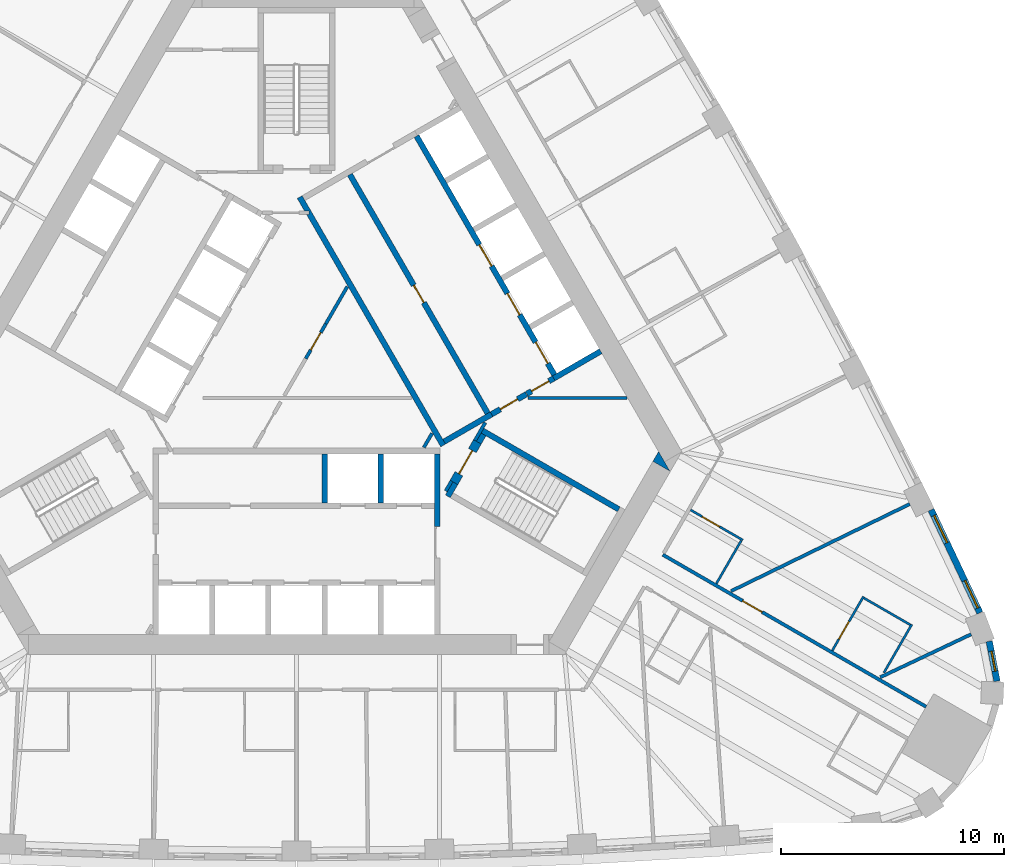
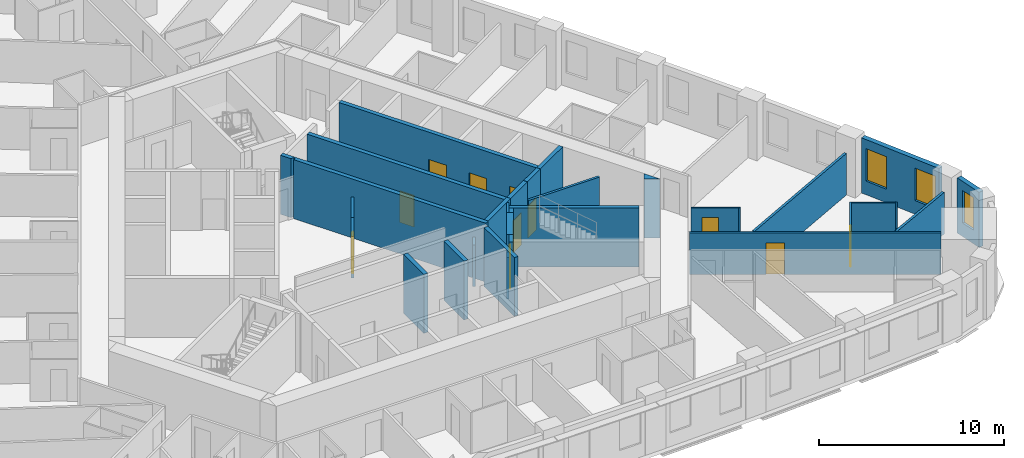
# One storey, part 8 of 13: 31 walls, 11 doors, 3 windows, 14 openings.
"""IFC4 building model written with IfcOpenShell, lengths in metres."""

from ifc_helpers import new_model, si_unit, direction, frame, frame_2d, origin, place, context, subcontext, project, spatial, polyline, rectangle, outline, extrude, material, layer, layer_set, type_object, element, fill, save


model = new_model("IFC4")

# Units and contexts
model_context = context("Model", 3, precision=1e-05, world=origin(), true_north=direction((0.0, 1.0)))
body_context = subcontext(model_context, "Body", "Model", "MODEL_VIEW")
ifc_project = project(units=[si_unit("LENGTHUNIT", "METRE"), si_unit("AREAUNIT", "SQUARE_METRE"), si_unit("VOLUMEUNIT", "CUBIC_METRE"), si_unit("PLANEANGLEUNIT", "RADIAN"), si_unit("MASSUNIT", "GRAM", prefix="KILO")], contexts=[model_context])

# Site, building, storey
site_placement = place(None, origin())
site = spatial("IfcSite", under=ifc_project, at=site_placement, CompositionType="ELEMENT")
building_placement = place(site_placement, origin())
building = spatial("IfcBuilding", under=site, at=building_placement, Name="Mestral Congress Tower", CompositionType="ELEMENT")
storey_placement = place(building_placement, frame((0.0, 0.0, 91.5)))
storey = spatial("IfcBuildingStorey", under=building, at=storey_placement, Name="L21", CompositionType="ELEMENT", Elevation=91.5)

# Walls
ifc_material_1 = material(Name="Fire-rated board partition")
ifc_layer_1 = layer(ifc_material_1, 0.14990234375)
ifc_layer_set_1 = layer_set([ifc_layer_1], Name="Fire-rated board partition")
wall_type_1 = type_object("IfcWallType", Name="Core partition 150", PredefinedType="PARTITIONING", material=ifc_layer_set_1)
wall_1_placement = place(storey_placement, frame((6.94482421875, -5.22216796875, 0.0), z_axis=(0.0, 0.0, 1.0), x_axis=(-0.499818422106, -0.866130212453, 0.0)))
element("IfcWall", 1, at=wall_1_placement, inside=storey, type_object=wall_type_1, Name="L21 core wall", PredefinedType="PARTITIONING", context=body_context, shape_type="SweptSolid", body=[
    extrude(rectangle(XDim=0.513916015625, YDim=0.14990234375, at=frame_2d((0.2568359375, 0.0))), origin(), (0.0, 0.0, 1.0), 2.75),
])
wall_2_placement = place(storey_placement, frame((5.704833984375, -3.718017578125, 0.0), z_axis=(0.0, 0.0, 1.0), x_axis=(0.499962090823, 0.866047289552, 0.0)))
element("IfcWall", 2, at=wall_2_placement, inside=storey, type_object=wall_type_1, Name="L21 core wall", PredefinedType="PARTITIONING", context=body_context, shape_type="SweptSolid", body=[
    extrude(rectangle(XDim=0.73486328125, YDim=0.14990234375, at=frame_2d((0.367431640625, 0.0))), origin(), (0.0, 0.0, 1.0), 2.75),
])
wall_3_placement = place(storey_placement, frame((10.362060546875, -1.5, 0.0), z_axis=(0.0, 0.0, 1.0), x_axis=(1.0, 0.0, 0.0)))
element("IfcWall", 3, at=wall_3_placement, inside=storey, type_object=wall_type_1, Name="L21 core wall", PredefinedType="PARTITIONING", context=body_context, shape_type="SweptSolid", body=[
    extrude(rectangle(XDim=4.439208984375, YDim=0.14990234375, at=frame_2d((2.2197265625, 0.0))), origin(), (0.0, 0.0, 1.0), 2.75),
])
wall_4_placement = place(storey_placement, frame((1.311767578125, 1.822021484375, 0.0), z_axis=(0.0, 0.0, 1.0), x_axis=(0.500003549559, 0.866023354436, 0.0)))
element("IfcWall", 4, at=wall_4_placement, inside=storey, type_object=wall_type_1, Name="L21 core wall", PredefinedType="PARTITIONING", context=body_context, shape_type="SweptSolid", body=[
    extrude(rectangle(XDim=1.9296875, YDim=0.14990234375, at=frame_2d((0.96484375, 0.0))), origin(), (0.0, 0.0, 1.0), 2.75),
])

# Wall, opening, door
wall_5_placement = place(storey_placement, frame((0.41162109375, 0.26318359375, 0.0), z_axis=(0.0, 0.0, 1.0), x_axis=(0.500062916607, 0.865989075817, 0.0)))
wall_5 = element("IfcWall", 5, at=wall_5_placement, inside=storey, type_object=wall_type_1, Name="L21 door wall", PredefinedType="PARTITIONING", context=body_context, shape_type="SweptSolid", body=[
    extrude(rectangle(XDim=1.800048828125, YDim=0.14990234375, at=frame_2d((0.89990234375, 0.0))), origin(), (0.0, 0.0, 1.0), 2.75),
])
opening_1_placement = place(wall_5_placement, frame((0.449951171875, 0.0, 0.0)))
opening_1 = element("IfcOpeningElement", 6, at=opening_1_placement, cuts=wall_5, Name="Opening SD-HUB1", PredefinedType="OPENING", context=body_context, shape_type="SweptSolid", body=[
    extrude(rectangle(XDim=0.89990234375, YDim=2.10009765625, at=frame_2d((0.449951171875, 1.050048828125))), frame((0.0, 0.0849609375, 0.0), z_axis=(0.0, -1.0, 0.0), x_axis=(1.0, 0.0, 0.0)), (0.0, 0.0, 1.0), 0.169921875),
])
ifc_material_2 = material(Name="Fire-rated steel door set", Category="steel")
door_type_1 = type_object("IfcDoorType", Name="Core door SR 900x2100", OperationType="SINGLE_SWING_LEFT", PredefinedType="DOOR", material=ifc_material_2)
door_1_placement = place(opening_1_placement, origin())
door_1 = element("IfcDoor", 7, at=door_1_placement, inside=storey, type_object=door_type_1, Name="Door SD-HUB1", OperationType="SINGLE_SWING_LEFT", OverallHeight=2.10009765625, OverallWidth=0.89990234375, PredefinedType="DOOR", context=body_context, shape_type="SweptSolid", body=[
    extrude(rectangle(XDim=0.89990234375, YDim=2.10009765625, at=frame_2d((0.449951171875, 1.050048828125))), frame((0.0, 0.02490234375, 0.0), z_axis=(0.0, -1.0, 0.0), x_axis=(1.0, 0.0, 0.0)), (0.0, 0.0, 1.0), 0.050048828125),
])
fill(opening_1, door_1)

# Wall
ifc_material_3 = material(Name="Concrete C60/75", Category="concrete")
ifc_layer_2 = layer(ifc_material_3, 0.89990234375)
ifc_layer_set_2 = layer_set([ifc_layer_2], Name="Concrete C60/75")
wall_type_2 = type_object("IfcWallType", Name="Core wall RC 900", PredefinedType="SOLIDWALL", material=ifc_layer_set_2)
placement = place(storey_placement, origin())
element("IfcWall", 8, at=placement, inside=storey, type_object=wall_type_2, Name="L21 core wall", PredefinedType="SOLIDWALL", context=body_context, shape_type="SweptSolid", body=[
    extrude(outline(polyline([(16.223388671875, -3.900146484375), (16.731689453125, -4.780029296875), (15.969482421875, -4.340087890625), (16.223388671875, -3.900146484375)])), origin(), (0.0, 0.0, 1.0), 3.89990234375),
])

# Wall, opening, window
ifc_material_4 = material(Name="Precast concrete C40/50 with limestone facing", Category="masonry")
ifc_layer_3 = layer(ifc_material_4, 0.2900390625)
ifc_layer_set_3 = layer_set([ifc_layer_3], Name="Precast concrete C40/50 with limestone facing")
wall_type_3 = type_object("IfcWallType", Name="Facade stone wall 290", PredefinedType="SOLIDWALL", material=ifc_layer_set_3)
wall_7_placement = place(storey_placement, frame((31.385498046875, -14.189208984375, 0.0), z_axis=(0.0, 0.0, 1.0), x_axis=(-0.190409913989, 0.981704672829, 0.0)))
wall_7 = element("IfcWall", 9, at=wall_7_placement, inside=storey, type_object=wall_type_3, Name="Facade wall K0-3", PredefinedType="SOLIDWALL", context=body_context, shape_type="SweptSolid", body=[
    extrude(rectangle(XDim=1.8193359375, YDim=0.2900390625, at=frame_2d((0.90966796875, 0.0))), origin(), (0.0, 0.0, 1.0), 3.64990234375),
])
opening_2_placement = place(wall_7_placement, frame((0.459716796875, 0.0, 0.89990234375)))
opening_2 = element("IfcOpeningElement", 10, at=opening_2_placement, cuts=wall_7, Name="Opening W3", PredefinedType="OPENING", context=body_context, shape_type="SweptSolid", body=[
    extrude(rectangle(XDim=0.89990234375, YDim=2.14990234375, at=frame_2d((0.449951171875, 1.074951171875))), frame((0.0, 0.155029296875, 0.0), z_axis=(0.0, -1.0, 0.0), x_axis=(1.0, 0.0, 0.0)), (0.0, 0.0, 1.0), 0.31005859375),
])
ifc_material_5 = material(Name="Clear low-emissivity double glazing", Category="glass")
window_type_1 = type_object("IfcWindowType", Name="Facade punched window 900 x 2150 sill 900", PartitioningType="SINGLE_PANEL", PredefinedType="WINDOW", material=ifc_material_5)
window_1_placement = place(opening_2_placement, origin())
window_1 = element("IfcWindow", 11, at=window_1_placement, inside=storey, type_object=window_type_1, Name="Window K0-3", OverallHeight=2.14990234375, OverallWidth=0.89990234375, PartitioningType="SINGLE_PANEL", PredefinedType="WINDOW", context=body_context, shape_type="SweptSolid", body=[
    extrude(rectangle(XDim=0.89990234375, YDim=2.14990234375, at=frame_2d((0.449951171875, 1.074951171875))), frame((0.0, 0.01513671875, 0.0), z_axis=(0.0, -1.0, 0.0), x_axis=(1.0, 0.0, 0.0)), (0.0, 0.0, 1.0), 0.06005859375),
])
fill(opening_2, window_1)

# Wall, openings, windows
wall_8_placement = place(storey_placement, frame((30.61962890625, -11.127197265625, 0.0), z_axis=(0.0, 0.0, 1.0), x_axis=(-0.427543726596, 0.903994669148, 0.0)))
wall_8 = element("IfcWall", 12, at=wall_8_placement, inside=storey, type_object=wall_type_3, Name="Facade wall F1-00", PredefinedType="SOLIDWALL", context=body_context, shape_type="SweptSolid", body=[
    extrude(rectangle(XDim=5.106689453125, YDim=0.2900390625, at=frame_2d((2.55322265625, 0.0))), origin(), (0.0, 0.0, 1.0), 3.64990234375),
])
opening_3_placement = place(wall_8_placement, frame((0.240478515625, 0.0, 0.89990234375)))
opening_3 = element("IfcOpeningElement", 13, at=opening_3_placement, cuts=wall_8, Name="Opening W2", PredefinedType="OPENING", context=body_context, shape_type="SweptSolid", body=[
    extrude(rectangle(XDim=1.35009765625, YDim=2.14990234375, at=frame_2d((0.675048828125, 1.074951171875))), frame((0.0, 0.155029296875, 0.0), z_axis=(0.0, -1.0, 0.0), x_axis=(1.0, 0.0, 0.0)), (0.0, 0.0, 1.0), 0.31005859375),
])
opening_4_placement = place(wall_8_placement, frame((3.47119140625, 0.0, 0.89990234375)))
opening_4 = element("IfcOpeningElement", 14, at=opening_4_placement, cuts=wall_8, Name="Opening W2", PredefinedType="OPENING", context=body_context, shape_type="SweptSolid", body=[
    extrude(rectangle(XDim=1.35009765625, YDim=2.14990234375, at=frame_2d((0.675048828125, 1.074951171875))), frame((0.0, 0.155029296875, 0.0), z_axis=(0.0, -1.0, 0.0), x_axis=(1.0, 0.0, 0.0)), (0.0, 0.0, 1.0), 0.31005859375),
])
window_type_2 = type_object("IfcWindowType", Name="Facade punched window 1350 x 2150 sill 900", PartitioningType="DOUBLE_PANEL_VERTICAL", PredefinedType="WINDOW", material=ifc_material_5)
window_2_placement = place(opening_3_placement, origin())
window_2 = element("IfcWindow", 15, at=window_2_placement, inside=storey, type_object=window_type_2, Name="Window F1-00a", OverallHeight=2.14990234375, OverallWidth=1.35009765625, PartitioningType="DOUBLE_PANEL_VERTICAL", PredefinedType="WINDOW", context=body_context, shape_type="SweptSolid", body=[
    extrude(rectangle(XDim=1.35009765625, YDim=2.14990234375, at=frame_2d((0.675048828125, 1.074951171875))), frame((0.0, 0.01513671875, 0.0), z_axis=(0.0, -1.0, 0.0), x_axis=(1.0, 0.0, 0.0)), (0.0, 0.0, 1.0), 0.06005859375),
])
fill(opening_3, window_2)
window_3_placement = place(opening_4_placement, origin())
window_3 = element("IfcWindow", 16, at=window_3_placement, inside=storey, type_object=window_type_2, Name="Window F1-00b", OverallHeight=2.14990234375, OverallWidth=1.35009765625, PartitioningType="DOUBLE_PANEL_VERTICAL", PredefinedType="WINDOW", context=body_context, shape_type="SweptSolid", body=[
    extrude(rectangle(XDim=1.35009765625, YDim=2.14990234375, at=frame_2d((0.675048828125, 1.074951171875))), frame((0.0, 0.01513671875, 0.0), z_axis=(0.0, -1.0, 0.0), x_axis=(1.0, 0.0, 0.0)), (0.0, 0.0, 1.0), 0.06005859375),
])
fill(opening_4, window_3)

# Wall, opening, door
ifc_material_6 = material(Name="Gypsum board partition on metal studs with mineral wool", Category="composite")
ifc_layer_4 = layer(ifc_material_6, 0.10009765625)
ifc_layer_set_4 = layer_set([ifc_layer_4], Name="Gypsum board partition on metal studs with mineral wool")
wall_type_4 = type_object("IfcWallType", Name="Hotel partition wall 100", PredefinedType="PARTITIONING", material=ifc_layer_set_4)
wall_9_placement = place(storey_placement, frame((25.404052734375, -10.39453125, 0.0), z_axis=(0.0, 0.0, 1.0), x_axis=(-0.500011755427, -0.866018616679, 0.0)))
wall_9 = element("IfcWall", 17, at=wall_9_placement, inside=storey, type_object=wall_type_4, Name="L21-h-pod10a", PredefinedType="PARTITIONING", context=body_context, shape_type="SweptSolid", body=[
    extrude(rectangle(XDim=2.80029296875, YDim=0.10009765625, at=frame_2d((1.400146484375, 0.0))), origin(), (0.0, 0.0, 1.0), 2.75),
])
opening_5_placement = place(wall_9_placement, frame((1.300048828125, 0.0, 0.0)))
opening_5 = element("IfcOpeningElement", 18, at=opening_5_placement, cuts=wall_9, Name="Opening H06-019", PredefinedType="OPENING", context=body_context, shape_type="SweptSolid", body=[
    extrude(rectangle(XDim=0.89990234375, YDim=2.10009765625, at=frame_2d((0.449951171875, 1.050048828125))), frame((0.0, 0.06005859375, 0.0), z_axis=(0.0, -1.0, 0.0), x_axis=(1.0, 0.0, 0.0)), (0.0, 0.0, 1.0), 0.1201171875),
])
ifc_material_7 = material(Name="Timber veneer door leaf in timber frame", Category="wood")
door_type_2 = type_object("IfcDoorType", Name="Bathroom door 900", OperationType="SINGLE_SWING_LEFT", PredefinedType="DOOR", material=ifc_material_7)
door_2_placement = place(opening_5_placement, origin())
door_2 = element("IfcDoor", 19, at=door_2_placement, inside=storey, type_object=door_type_2, Name="L21-h-d019", OperationType="SINGLE_SWING_LEFT", OverallHeight=2.10009765625, OverallWidth=0.89990234375, PredefinedType="DOOR", context=body_context, shape_type="SweptSolid", body=[
    extrude(rectangle(XDim=0.89990234375, YDim=2.10009765625, at=frame_2d((0.449951171875, 1.050048828125))), frame((0.0, 0.02490234375, 0.0), z_axis=(0.0, -1.0, 0.0), x_axis=(1.0, 0.0, 0.0)), (0.0, 0.0, 1.0), 0.050048828125),
])
fill(opening_5, door_2)

# Walls
wall_10_placement = place(storey_placement, frame((25.42236328125, -10.462890625, 0.0), z_axis=(0.0, 0.0, 1.0), x_axis=(0.866024647952, -0.500001309137, 0.0)))
element("IfcWall", 20, at=wall_10_placement, inside=storey, type_object=wall_type_4, Name="L21-h-pod10b", PredefinedType="PARTITIONING", context=body_context, shape_type="SweptSolid", body=[
    extrude(rectangle(XDim=2.39990234375, YDim=0.10009765625, at=frame_2d((1.199951171875, 0.0))), origin(), (0.0, 0.0, 1.0), 2.75),
])
wall_11_placement = place(storey_placement, frame((26.319091796875, -13.809814453125, 0.0), z_axis=(0.0, 0.0, 1.0), x_axis=(0.499961950354, 0.866047370643, 0.0)))
element("IfcWall", 21, at=wall_11_placement, inside=storey, type_object=wall_type_4, Name="L21-h-pod10c", PredefinedType="PARTITIONING", context=body_context, shape_type="SweptSolid", body=[
    extrude(rectangle(XDim=2.500244140625, YDim=0.10009765625, at=frame_2d((1.25, 0.0))), origin(), (0.0, 0.0, 1.0), 2.75),
])

# Wall, opening, door
wall_12_placement = place(storey_placement, frame((19.99560546875, -7.86669921875, 0.0), z_axis=(0.0, 0.0, 1.0), x_axis=(-0.866019956843, 0.50000943426, 0.0)))
wall_12 = element("IfcWall", 22, at=wall_12_placement, inside=storey, type_object=wall_type_4, Name="L21-h-pod11a", PredefinedType="PARTITIONING", context=body_context, shape_type="SweptSolid", body=[
    extrude(rectangle(XDim=2.7001953125, YDim=0.10009765625, at=frame_2d((1.35009765625, 0.0))), origin(), (0.0, 0.0, 1.0), 2.75),
])
opening_6_placement = place(wall_12_placement, frame((1.199951171875, 0.0, 0.0)))
opening_6 = element("IfcOpeningElement", 23, at=opening_6_placement, cuts=wall_12, Name="Opening H06-021", PredefinedType="OPENING", context=body_context, shape_type="SweptSolid", body=[
    extrude(rectangle(XDim=0.89990234375, YDim=2.10009765625, at=frame_2d((0.449951171875, 1.050048828125))), frame((0.0, 0.06005859375, 0.0), z_axis=(0.0, -1.0, 0.0), x_axis=(1.0, 0.0, 0.0)), (0.0, 0.0, 1.0), 0.1201171875),
])
door_3_placement = place(opening_6_placement, origin())
door_3 = element("IfcDoor", 24, at=door_3_placement, inside=storey, type_object=door_type_2, Name="L21-h-d021", OperationType="SINGLE_SWING_LEFT", OverallHeight=2.10009765625, OverallWidth=0.89990234375, PredefinedType="DOOR", context=body_context, shape_type="SweptSolid", body=[
    extrude(rectangle(XDim=0.89990234375, YDim=2.10009765625, at=frame_2d((0.449951171875, 1.050048828125))), frame((0.0, 0.02490234375, 0.0), z_axis=(0.0, -1.0, 0.0), x_axis=(1.0, 0.0, 0.0)), (0.0, 0.0, 1.0), 0.050048828125),
])
fill(opening_6, door_3)

# Wall
wall_13_placement = place(storey_placement, frame((19.922119140625, -7.893798828125, 0.0), z_axis=(0.0, 0.0, 1.0), x_axis=(-0.499995378973, -0.866028071719, 0.0)))
element("IfcWall", 25, at=wall_13_placement, inside=storey, type_object=wall_type_4, Name="L21-h-pod11b", PredefinedType="PARTITIONING", context=body_context, shape_type="SweptSolid", body=[
    extrude(rectangle(XDim=2.2197265625, YDim=0.10009765625, at=frame_2d((1.10986328125, 0.0))), origin(), (0.0, 0.0, 1.0), 2.75),
])

# Wall, opening, door
ifc_layer_5 = layer(ifc_material_6, 0.14990234375)
ifc_layer_set_5 = layer_set([ifc_layer_5], Name="Gypsum board partition on metal studs with mineral wool")
wall_type_5 = type_object("IfcWallType", Name="Hotel partition wall 150", PredefinedType="PARTITIONING", material=ifc_layer_set_5)
wall_14_placement = place(storey_placement, frame((16.412353515625, -8.52294921875, 0.0), z_axis=(0.0, 0.0, 1.0), x_axis=(0.866025629663, -0.499999608766, 0.0)))
wall_14 = element("IfcWall", 26, at=wall_14_placement, inside=storey, type_object=wall_type_5, Name="L21-h-cw01", PredefinedType="PARTITIONING", context=body_context, shape_type="SweptSolid", body=[
    extrude(rectangle(XDim=13.62353515625, YDim=0.14990234375, at=frame_2d((6.811767578125, 0.0))), origin(), (0.0, 0.0, 1.0), 2.75),
])
opening_7_placement = place(wall_14_placement, frame((4.134033203125, 0.0, 0.0)))
opening_7 = element("IfcOpeningElement", 27, at=opening_7_placement, cuts=wall_14, Name="Opening H06-018", PredefinedType="OPENING", context=body_context, shape_type="SweptSolid", body=[
    extrude(rectangle(XDim=1.0, YDim=2.10009765625, at=frame_2d((0.5, 1.050048828125))), frame((0.0, 0.0849609375, 0.0), z_axis=(0.0, -1.0, 0.0), x_axis=(1.0, 0.0, 0.0)), (0.0, 0.0, 1.0), 0.169921875),
])
ifc_material_8 = material(Name="Timber veneer door leaf in metal frame", Category="wood")
door_type_3 = type_object("IfcDoorType", Name="Guest room entrance door 1000", OperationType="SINGLE_SWING_LEFT", PredefinedType="DOOR", material=ifc_material_8)
door_4_placement = place(opening_7_placement, origin())
door_4 = element("IfcDoor", 28, at=door_4_placement, inside=storey, type_object=door_type_3, Name="L21-h-d018", OperationType="SINGLE_SWING_LEFT", OverallHeight=2.10009765625, OverallWidth=1.0, PredefinedType="DOOR", context=body_context, shape_type="SweptSolid", body=[
    extrude(rectangle(XDim=1.0, YDim=2.10009765625, at=frame_2d((0.5, 1.050048828125))), frame((0.0, 0.02490234375, 0.0), z_axis=(0.0, -1.0, 0.0), x_axis=(1.0, 0.0, 0.0)), (0.0, 0.0, 1.0), 0.050048828125),
])
fill(opening_7, door_4)

# Walls
wall_15_placement = place(storey_placement, frame((27.478515625, -6.2509765625, 0.0), z_axis=(0.0, 0.0, 1.0), x_axis=(-0.898945877276, -0.438059710231, 0.0)))
element("IfcWall", 29, at=wall_15_placement, inside=storey, type_object=wall_type_5, Name="L21-h-pw28", PredefinedType="PARTITIONING", context=body_context, shape_type="SweptSolid", body=[
    extrude(rectangle(XDim=8.909423828125, YDim=0.14990234375, at=frame_2d((4.45458984375, 0.0))), origin(), (0.0, 0.0, 1.0), 2.75),
])
wall_16_placement = place(storey_placement, frame((30.23095703125, -12.08544921875, 0.0), z_axis=(0.0, 0.0, 1.0), x_axis=(-0.904001132572, -0.427530060122, 0.0)))
element("IfcWall", 30, at=wall_16_placement, inside=storey, type_object=wall_type_5, Name="L21-h-pw29", PredefinedType="PARTITIONING", context=body_context, shape_type="SweptSolid", body=[
    extrude(rectangle(XDim=4.509521484375, YDim=0.14990234375, at=frame_2d((2.2548828125, 0.0))), origin(), (0.0, 0.0, 1.0), 2.75),
])
ifc_layer_6 = layer(ifc_material_3, 0.25)
ifc_layer_set_6 = layer_set([ifc_layer_6], Name="Concrete C60/75")
wall_type_6 = type_object("IfcWallType", Name="Shaft wall RC 250", PredefinedType="SOLIDWALL", material=ifc_layer_set_6)
wall_17_placement = place(storey_placement, frame((6.300048828125, -7.26806640625, 0.0), z_axis=(0.0, 0.0, 1.0), x_axis=(0.0, 1.0, 0.0)))
element("IfcWall", 31, at=wall_17_placement, inside=storey, type_object=wall_type_6, Name="L21 core wall", PredefinedType="SOLIDWALL", context=body_context, shape_type="SweptSolid", body=[
    extrude(rectangle(XDim=3.26806640625, YDim=0.25, at=frame_2d((1.634033203125, 0.0))), origin(), (0.0, 0.0, 1.0), 3.89990234375),
])
for number, where, z_axis, x_axis, name in (
    (32, (3.780029296875, -4.0, 0.0), (0.0, 0.0, 1.0), (0.0, -1.0, 0.0), "L21 core wall"),
    (33, (1.260009765625, -4.0, 0.0), (0.0, 0.0, 1.0), (0.0, -1.0, 0.0), "L21 core wall"),
):
    element("IfcWall", number, at=place(storey_placement, frame(where, z_axis=z_axis, x_axis=x_axis)), inside=storey, type_object=wall_type_6, Name=name, PredefinedType="SOLIDWALL", context=body_context, shape_type="SweptSolid", body=[
        extrude(rectangle(XDim=2.199951171875, YDim=0.25, at=frame_2d((1.10009765625, 0.0))), origin(), (0.0, 0.0, 1.0), 3.89990234375),
    ])
wall_18_placement = place(storey_placement, frame((13.62890625, 0.593994140625, 0.0), z_axis=(0.0, 0.0, 1.0), x_axis=(-0.866063384774, -0.499934209226, 0.0)))
element("IfcWall", 34, at=wall_18_placement, inside=storey, type_object=wall_type_6, Name="L21 core wall", PredefinedType="SOLIDWALL", context=body_context, shape_type="SweptSolid", body=[
    extrude(rectangle(XDim=2.428466796875, YDim=0.25, at=frame_2d((1.21435546875, 0.0))), origin(), (0.0, 0.0, 1.0), 3.89990234375),
])
element("IfcWall", 35, at=placement, inside=storey, type_object=wall_type_6, Name="L21 core wall", PredefinedType="SOLIDWALL", context=body_context, shape_type="SweptSolid", body=[
    extrude(outline(polyline([(0.565673828125, 6.72509765625), (0.565673828125, 6.875), (0.565673828125, 6.875), (0.5654296875, 6.875), (0.36083984375, 6.875), (0.03515625, 7.439208984375), (0.251708984375, 7.564208984375), (0.376708984375, 7.34765625), (6.551513671875, -3.34765625), (6.676513671875, -3.564208984375), (6.460205078125, -3.689208984375), (0.447509765625, 6.724853515625), (0.5654296875, 6.724853515625), (0.565673828125, 6.724853515625), (0.565673828125, 6.72509765625)])), origin(), (0.0, 0.0, 1.0), 3.89990234375),
])
wall_20_placement = place(storey_placement, frame((6.614013671875, -3.4560546875, 0.0), z_axis=(0.0, 0.0, 1.0), x_axis=(0.866031582473, 0.499989298045, 0.0)))
element("IfcWall", 36, at=wall_20_placement, inside=storey, type_object=wall_type_6, Name="L21 core wall", PredefinedType="SOLIDWALL", context=body_context, shape_type="SweptSolid", body=[
    extrude(rectangle(XDim=2.455078125, YDim=0.25, at=frame_2d((1.2275390625, 0.0))), origin(), (0.0, 0.0, 1.0), 3.89990234375),
])

# Wall, openings, doors
wall_21_placement = place(storey_placement, frame((11.552978515625, -0.460205078125, 0.0), z_axis=(0.0, 0.0, 1.0), x_axis=(-0.500006514828, 0.866021642414, 0.0)))
wall_21 = element("IfcWall", 37, at=wall_21_placement, inside=storey, type_object=wall_type_6, Name="L21 door wall", PredefinedType="SOLIDWALL", context=body_context, shape_type="SweptSolid", body=[
    extrude(rectangle(XDim=12.349853515625, YDim=0.25, at=frame_2d((6.1748046875, 0.0))), origin(), (0.0, 0.0, 1.0), 3.89990234375),
])
opening_8_placement = place(wall_21_placement, frame((0.5849609375, 0.0, 0.0)))
opening_8 = element("IfcOpeningElement", 38, at=opening_8_placement, cuts=wall_21, Name="Opening LD-NEA1", PredefinedType="OPENING", context=body_context, shape_type="SweptSolid", body=[
    extrude(rectangle(XDim=1.10009765625, YDim=2.10009765625, at=frame_2d((0.550048828125, 1.050048828125))), frame((0.0, 0.135009765625, 0.0), z_axis=(0.0, -1.0, 0.0), x_axis=(1.0, 0.0, 0.0)), (0.0, 0.0, 1.0), 0.27001953125),
])
opening_9_placement = place(wall_21_placement, frame((3.10498046875, 0.0, 0.0)))
opening_9 = element("IfcOpeningElement", 39, at=opening_9_placement, cuts=wall_21, Name="Opening LD-NEA2", PredefinedType="OPENING", context=body_context, shape_type="SweptSolid", body=[
    extrude(rectangle(XDim=1.10009765625, YDim=2.10009765625, at=frame_2d((0.550048828125, 1.050048828125))), frame((0.0, 0.135009765625, 0.0), z_axis=(0.0, -1.0, 0.0), x_axis=(1.0, 0.0, 0.0)), (0.0, 0.0, 1.0), 0.27001953125),
])
opening_10_placement = place(wall_21_placement, frame((5.625, 0.0, 0.0)))
opening_10 = element("IfcOpeningElement", 40, at=opening_10_placement, cuts=wall_21, Name="Opening LD-NEA3", PredefinedType="OPENING", context=body_context, shape_type="SweptSolid", body=[
    extrude(rectangle(XDim=1.10009765625, YDim=2.10009765625, at=frame_2d((0.550048828125, 1.050048828125))), frame((0.0, 0.135009765625, 0.0), z_axis=(0.0, -1.0, 0.0), x_axis=(1.0, 0.0, 0.0)), (0.0, 0.0, 1.0), 0.27001953125),
])
door_type_4 = type_object("IfcDoorType", Name="Core door LD 1100x2100", OperationType="DOUBLE_DOOR_SLIDING", PredefinedType="DOOR", material=ifc_material_2)
door_5_placement = place(opening_8_placement, origin())
door_5 = element("IfcDoor", 41, at=door_5_placement, inside=storey, type_object=door_type_4, Name="Door LD-NEA1", OperationType="DOUBLE_DOOR_SLIDING", OverallHeight=2.10009765625, OverallWidth=1.10009765625, PredefinedType="DOOR", context=body_context, shape_type="SweptSolid", body=[
    extrude(rectangle(XDim=1.10009765625, YDim=2.10009765625, at=frame_2d((0.550048828125, 1.050048828125))), frame((0.0, 0.02490234375, 0.0), z_axis=(0.0, -1.0, 0.0), x_axis=(1.0, 0.0, 0.0)), (0.0, 0.0, 1.0), 0.050048828125),
])
fill(opening_8, door_5)
door_6_placement = place(opening_9_placement, origin())
door_6 = element("IfcDoor", 42, at=door_6_placement, inside=storey, type_object=door_type_4, Name="Door LD-NEA2", OperationType="DOUBLE_DOOR_SLIDING", OverallHeight=2.10009765625, OverallWidth=1.10009765625, PredefinedType="DOOR", context=body_context, shape_type="SweptSolid", body=[
    extrude(rectangle(XDim=1.10009765625, YDim=2.10009765625, at=frame_2d((0.550048828125, 1.050048828125))), frame((0.0, 0.02490234375, 0.0), z_axis=(0.0, -1.0, 0.0), x_axis=(1.0, 0.0, 0.0)), (0.0, 0.0, 1.0), 0.050048828125),
])
fill(opening_9, door_6)
door_7_placement = place(opening_10_placement, origin())
door_7 = element("IfcDoor", 43, at=door_7_placement, inside=storey, type_object=door_type_4, Name="Door LD-NEA3", OperationType="DOUBLE_DOOR_SLIDING", OverallHeight=2.10009765625, OverallWidth=1.10009765625, PredefinedType="DOOR", context=body_context, shape_type="SweptSolid", body=[
    extrude(rectangle(XDim=1.10009765625, YDim=2.10009765625, at=frame_2d((0.550048828125, 1.050048828125))), frame((0.0, 0.02490234375, 0.0), z_axis=(0.0, -1.0, 0.0), x_axis=(1.0, 0.0, 0.0)), (0.0, 0.0, 1.0), 0.050048828125),
])
fill(opening_10, door_7)

# Wall, opening, door
wall_22_placement = place(storey_placement, frame((8.565185546875, -2.185302734375, 0.0), z_axis=(0.0, 0.0, 1.0), x_axis=(-0.499997954832, 0.866026584559, 0.0)))
wall_22 = element("IfcWall", 44, at=wall_22_placement, inside=storey, type_object=wall_type_6, Name="L21 door wall", PredefinedType="SOLIDWALL", context=body_context, shape_type="SweptSolid", body=[
    extrude(rectangle(XDim=12.35009765625, YDim=0.25, at=frame_2d((6.175048828125, 0.0))), origin(), (0.0, 0.0, 1.0), 3.89990234375),
])
opening_11_placement = place(wall_22_placement, frame((5.72509765625, 0.0, 0.0)))
opening_11 = element("IfcOpeningElement", 45, at=opening_11_placement, cuts=wall_22, Name="Opening SR-NEB1", PredefinedType="OPENING", context=body_context, shape_type="SweptSolid", body=[
    extrude(rectangle(XDim=0.89990234375, YDim=2.10009765625, at=frame_2d((0.449951171875, 1.050048828125))), frame((0.0, 0.135009765625, 0.0), z_axis=(0.0, -1.0, 0.0), x_axis=(1.0, 0.0, 0.0)), (0.0, 0.0, 1.0), 0.27001953125),
])
door_8_placement = place(opening_11_placement, origin())
door_8 = element("IfcDoor", 46, at=door_8_placement, inside=storey, type_object=door_type_1, Name="Door SR-NEB1", OperationType="SINGLE_SWING_LEFT", OverallHeight=2.10009765625, OverallWidth=0.89990234375, PredefinedType="DOOR", context=body_context, shape_type="SweptSolid", body=[
    extrude(rectangle(XDim=0.89990234375, YDim=2.10009765625, at=frame_2d((0.449951171875, 1.050048828125))), frame((0.0, 0.02490234375, 0.0), z_axis=(0.0, -1.0, 0.0), x_axis=(1.0, 0.0, 0.0)), (0.0, 0.0, 1.0), 0.050048828125),
])
fill(opening_11, door_8)

wall_23_placement = place(storey_placement, frame((8.740478515625, -2.228515625, 0.0), z_axis=(0.0, 0.0, 1.0), x_axis=(0.865989075817, 0.500062916607, 0.0)))
wall_23 = element("IfcWall", 47, at=wall_23_placement, inside=storey, type_object=wall_type_6, Name="L21 door wall", PredefinedType="SOLIDWALL", context=body_context, shape_type="SweptSolid", body=[
    extrude(rectangle(XDim=1.800048828125, YDim=0.25, at=frame_2d((0.89990234375, 0.0))), origin(), (0.0, 0.0, 1.0), 3.89990234375),
])
opening_12_placement = place(wall_23_placement, frame((0.449951171875, 0.0, 0.0)))
opening_12 = element("IfcOpeningElement", 48, at=opening_12_placement, cuts=wall_23, Name="Opening TD1", PredefinedType="OPENING", context=body_context, shape_type="SweptSolid", body=[
    extrude(rectangle(XDim=0.89990234375, YDim=2.10009765625, at=frame_2d((0.449951171875, 1.050048828125))), frame((0.0, 0.135009765625, 0.0), z_axis=(0.0, -1.0, 0.0), x_axis=(1.0, 0.0, 0.0)), (0.0, 0.0, 1.0), 0.27001953125),
])
door_9_placement = place(opening_12_placement, origin())
door_9 = element("IfcDoor", 49, at=door_9_placement, inside=storey, type_object=door_type_1, Name="Door TD1", OperationType="SINGLE_SWING_LEFT", OverallHeight=2.10009765625, OverallWidth=0.89990234375, PredefinedType="DOOR", context=body_context, shape_type="SweptSolid", body=[
    extrude(rectangle(XDim=0.89990234375, YDim=2.10009765625, at=frame_2d((0.449951171875, 1.050048828125))), frame((0.0, 0.02490234375, 0.0), z_axis=(0.0, -1.0, 0.0), x_axis=(1.0, 0.0, 0.0)), (0.0, 0.0, 1.0), 0.050048828125),
])
fill(opening_12, door_9)

wall_24_placement = place(storey_placement, frame((10.31298828125, -1.3203125, 0.0), z_axis=(0.0, 0.0, 1.0), x_axis=(0.866034573852, 0.49998411664, 0.0)))
wall_24 = element("IfcWall", 50, at=wall_24_placement, inside=storey, type_object=wall_type_6, Name="L21 door wall", PredefinedType="SOLIDWALL", context=body_context, shape_type="SweptSolid", body=[
    extrude(rectangle(XDim=1.39990234375, YDim=0.25, at=frame_2d((0.699951171875, 0.0))), origin(), (0.0, 0.0, 1.0), 3.89990234375),
])
opening_13_placement = place(wall_24_placement, frame((0.25, 0.0, 0.0)))
opening_13 = element("IfcOpeningElement", 51, at=opening_13_placement, cuts=wall_24, Name="Opening SD-HUB2", PredefinedType="OPENING", context=body_context, shape_type="SweptSolid", body=[
    extrude(rectangle(XDim=0.89990234375, YDim=2.10009765625, at=frame_2d((0.449951171875, 1.050048828125))), frame((0.0, 0.135009765625, 0.0), z_axis=(0.0, -1.0, 0.0), x_axis=(1.0, 0.0, 0.0)), (0.0, 0.0, 1.0), 0.27001953125),
])
door_10_placement = place(opening_13_placement, origin())
door_10 = element("IfcDoor", 52, at=door_10_placement, inside=storey, type_object=door_type_1, Name="Door SD-HUB2", OperationType="SINGLE_SWING_LEFT", OverallHeight=2.10009765625, OverallWidth=0.89990234375, PredefinedType="DOOR", context=body_context, shape_type="SweptSolid", body=[
    extrude(rectangle(XDim=0.89990234375, YDim=2.10009765625, at=frame_2d((0.449951171875, 1.050048828125))), frame((0.0, 0.02490234375, 0.0), z_axis=(0.0, -1.0, 0.0), x_axis=(1.0, 0.0, 0.0)), (0.0, 0.0, 1.0), 0.050048828125),
])
fill(opening_13, door_10)

# Walls
ifc_layer_7 = layer(ifc_material_3, 0.14990234375)
ifc_layer_set_7 = layer_set([ifc_layer_7], Name="Concrete C60/75")
wall_type_7 = type_object("IfcWallType", Name="Shaft wall RC 250 door-wall 150", PredefinedType="SOLIDWALL", material=ifc_layer_set_7)
wall_25_placement = place(storey_placement, frame((8.459228515625, -2.59912109375, 0.0), z_axis=(0.0, 0.0, 1.0), x_axis=(-0.500041054325, -0.866001699761, 0.0)))
element("IfcWall", 53, at=wall_25_placement, inside=storey, type_object=wall_type_7, Name="L21 core wall", PredefinedType="PARTITIONING", context=body_context, shape_type="SweptSolid", body=[
    extrude(rectangle(XDim=0.9287109375, YDim=0.14990234375, at=frame_2d((0.46435546875, 0.0))), origin(), (0.0, 0.0, 1.0), 3.89990234375),
])
ifc_layer_8 = layer(ifc_material_3, 0.25)
ifc_layer_set_8 = layer_set([ifc_layer_8], Name="Concrete C60/75")
wall_type_8 = type_object("IfcWallType", Name="Stair wall RC 250", PredefinedType="SOLIDWALL", material=ifc_layer_set_8)
wall_26_placement = place(storey_placement, frame((6.780029296875, -5.906494140625, 0.0), z_axis=(0.0, 0.0, 1.0), x_axis=(0.500223362819, 0.865896406789, 0.0)))
element("IfcWall", 54, at=wall_26_placement, inside=storey, type_object=wall_type_8, Name="L21 core wall", PredefinedType="SOLIDWALL", context=body_context, shape_type="SweptSolid", body=[
    extrude(rectangle(XDim=0.675048828125, YDim=0.25, at=frame_2d((0.33740234375, 0.0))), origin(), (0.0, 0.0, 1.0), 3.89990234375),
])
wall_27_placement = place(storey_placement, frame((8.33447265625, -2.96435546875, 0.0), z_axis=(0.0, 0.0, 1.0), x_axis=(0.866016039709, -0.500016218704, 0.0)))
element("IfcWall", 55, at=wall_27_placement, inside=storey, type_object=wall_type_8, Name="L21 core wall", PredefinedType="SOLIDWALL", context=body_context, shape_type="SweptSolid", body=[
    extrude(rectangle(XDim=7.050048828125, YDim=0.25, at=frame_2d((3.52490234375, 0.0))), origin(), (0.0, 0.0, 1.0), 3.89990234375),
])
wall_28_placement = place(storey_placement, frame((8.167724609375, -3.503173828125, 0.0), z_axis=(0.0, 0.0, 1.0), x_axis=(0.49972245349, 0.866185586049, 0.0)))
element("IfcWall", 56, at=wall_28_placement, inside=storey, type_object=wall_type_8, Name="L21 core wall", PredefinedType="SOLIDWALL", context=body_context, shape_type="SweptSolid", body=[
    extrude(rectangle(XDim=0.425048828125, YDim=0.25, at=frame_2d((0.21240234375, 0.0))), origin(), (0.0, 0.0, 1.0), 3.89990234375),
])

# Wall, opening, door
ifc_layer_9 = layer(ifc_material_3, 0.39990234375)
ifc_layer_set_9 = layer_set([ifc_layer_9], Name="Concrete C60/75")
wall_type_9 = type_object("IfcWallType", Name="Stair wall RC 250 door-wall 400", PredefinedType="SOLIDWALL", material=ifc_layer_set_9)
wall_29_placement = place(storey_placement, frame((7.052734375, -5.2841796875, 0.0), z_axis=(0.0, 0.0, 1.0), x_axis=(0.500078061341, 0.865980330357, 0.0)))
wall_29 = element("IfcWall", 57, at=wall_29_placement, inside=storey, type_object=wall_type_9, Name="L21 door wall", PredefinedType="SOLIDWALL", context=body_context, shape_type="SweptSolid", body=[
    extrude(rectangle(XDim=2.099853515625, YDim=0.39990234375, at=frame_2d((1.0498046875, 0.0))), origin(), (0.0, 0.0, 1.0), 3.89990234375),
])
opening_14_placement = place(wall_29_placement, frame((0.449951171875, 0.0, 0.0)))
opening_14 = element("IfcOpeningElement", 58, at=opening_14_placement, cuts=wall_29, Name="Opening ST-D1", PredefinedType="OPENING", context=body_context, shape_type="SweptSolid", body=[
    extrude(rectangle(XDim=1.199951171875, YDim=2.10009765625, at=frame_2d((0.60009765625, 1.050048828125))), frame((0.0, 0.2099609375, 0.0), z_axis=(0.0, -1.0, 0.0), x_axis=(1.0, 0.0, 0.0)), (0.0, 0.0, 1.0), 0.419921875),
])
door_type_5 = type_object("IfcDoorType", Name="Core door ST 1200x2100", OperationType="SINGLE_SWING_LEFT", PredefinedType="DOOR", material=ifc_material_2)
door_11_placement = place(opening_14_placement, origin())
door_11 = element("IfcDoor", 59, at=door_11_placement, inside=storey, type_object=door_type_5, Name="Door ST-D1", OperationType="SINGLE_SWING_LEFT", OverallHeight=2.10009765625, OverallWidth=1.199951171875, PredefinedType="DOOR", context=body_context, shape_type="SweptSolid", body=[
    extrude(rectangle(XDim=1.199951171875, YDim=2.10009765625, at=frame_2d((0.60009765625, 1.050048828125))), frame((0.0, 0.02490234375, 0.0), z_axis=(0.0, -1.0, 0.0), x_axis=(1.0, 0.0, 0.0)), (0.0, 0.0, 1.0), 0.050048828125),
])
fill(opening_14, door_11)

save(model, "model.ifc")
